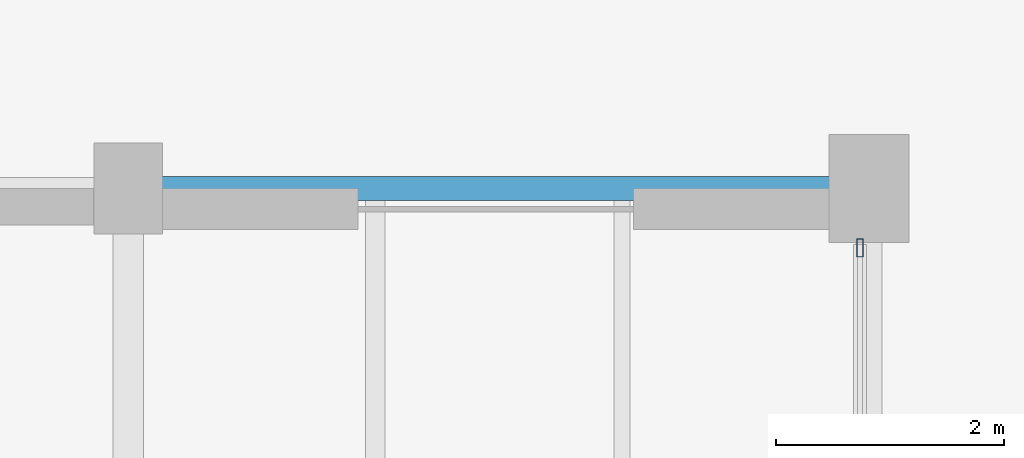
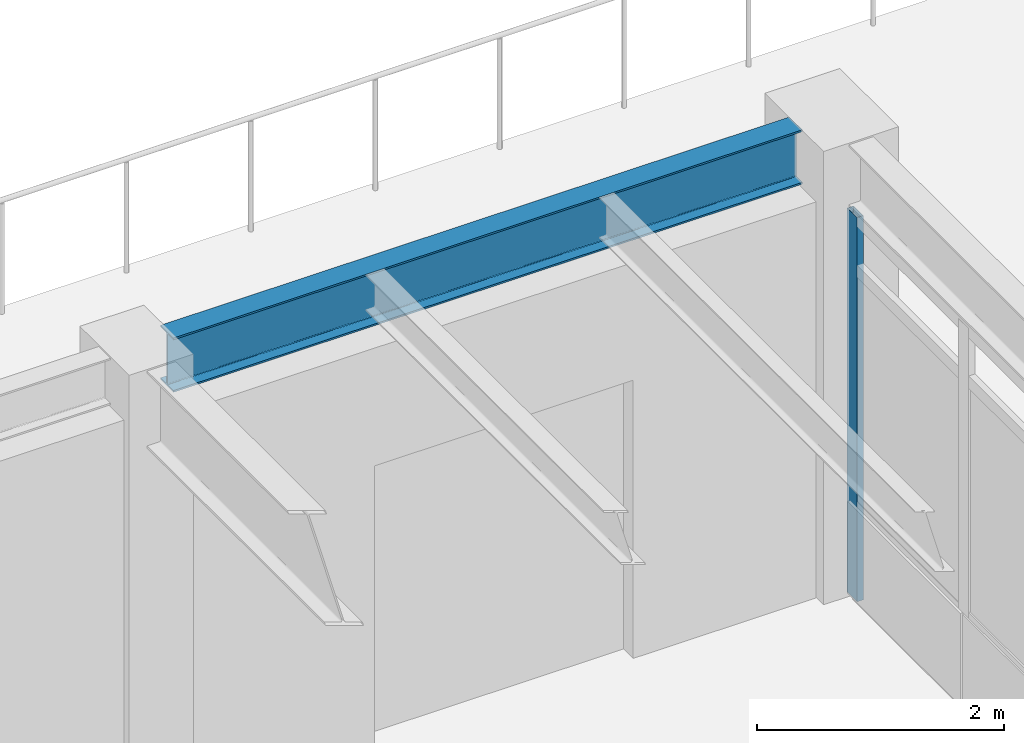
# One storey, part 135 of 200: 1 beam, 1 member, 1 element without a shape of its own.
"""IFC4 building model written with IfcOpenShell, lengths in metres."""

from ifc_helpers import new_model, si_unit, direction, frame, origin, origin_2d, place, context, subcontext, project, spatial, hollow_rectangle, i_section, extrude, material, material_profile, profile_set, type_object, element, aggregate, save


model = new_model("IFC4")

# Units and contexts
model_context = context("Model", 3, precision=1e-05, world=origin(), true_north=direction((0.0, 1.0)))
body_context = subcontext(model_context, "Body", "Model", "MODEL_VIEW")
ifc_project = project(units=[si_unit("LENGTHUNIT", "METRE"), si_unit("AREAUNIT", "SQUARE_METRE"), si_unit("VOLUMEUNIT", "CUBIC_METRE"), si_unit("PLANEANGLEUNIT", "RADIAN"), si_unit("MASSUNIT", "GRAM", prefix="KILO"), si_unit("THERMODYNAMICTEMPERATUREUNIT", "KELVIN"), si_unit("POWERUNIT", "WATT")], contexts=[model_context])

# Site, building, storey
site_placement = place(None, origin())
site = spatial("IfcSite", under=ifc_project, at=site_placement, CompositionType="ELEMENT")
building_placement = place(site_placement, origin())
building = spatial("IfcBuilding", under=site, at=building_placement, Name="Tepalcoro Natatorium and Aquatics Centre", CompositionType="ELEMENT")
storey_placement = place(building_placement, frame((0.0, 0.0, 5.39990234375)))
storey = spatial("IfcBuildingStorey", under=building, at=storey_placement, Name="L01", CompositionType="ELEMENT", Elevation=5.39990234375)

# Curtain wall, member
ifc_material_1 = material(Name="Bronze-Anodised Extruded Aluminium Alloy EN AW-6063 T6", Category="aluminium")
curtain_wall_type = type_object("IfcCurtainWallType", Name="CW_V5_LOWER", PredefinedType="USERDEFINED", material=ifc_material_1)
curtain_wall_placement = place(storey_placement, origin())
curtain_wall = element("IfcCurtainWall", 1, at=curtain_wall_placement, inside=storey, type_object=curtain_wall_type, Name="V1 L01 E Unitised Curtain Wall Bay 8", ObjectType="UNITISED STOREFRONT", PredefinedType="USERDEFINED")
ifc_material_profile_1 = material_profile(ifc_material_1, hollow_rectangle(XDim=0.06005859375, YDim=0.159912109375, WallThickness=0.00390625, at=origin_2d()), Name="AL60X160X4")
ifc_profile_set_1 = profile_set([ifc_material_profile_1], Name="Bronze-Anodised Extruded Aluminium Alloy EN AW-6063 T6")
member_type = type_object("IfcMemberType", Name="CW_MUL_60x160", PredefinedType="MULLION", material=ifc_profile_set_1)
member_placement = place(storey_placement, frame((131.419921875, 64.97998046875, 0.02001953125), z_axis=(0.0, 0.0, 1.0), x_axis=(1.0, 0.0, 0.0)))
member = element("IfcMember", 2, at=member_placement, type_object=member_type, Name="CW_V5_LOWER Curtain Wall Mullion", PredefinedType="MULLION", context=body_context, shape_type="SweptSolid", body=[
    extrude(hollow_rectangle(XDim=0.06005859375, YDim=0.159912109375, WallThickness=0.00390625, at=origin_2d()), origin(), (0.0, 0.0, 1.0), 3.798095703125),
])
aggregate(curtain_wall, [member])

# Beam
ifc_material_2 = material(Name="Steel ASTM A992 Grade 50 (Fy 345 MPa)", Category="steel")
ifc_material_profile_2 = material_profile(ifc_material_2, i_section(OverallWidth=0.2099609375, OverallDepth=0.535888671875, WebThickness=0.010986328125, FlangeThickness=0.01708984375, FilletRadius=0.013916015625, at=origin_2d()), Name="W21X68")
ifc_profile_set_2 = profile_set([ifc_material_profile_2], Name="Steel ASTM A992 Grade 50 (Fy 345 MPa)")
beam_type = type_object("IfcBeamType", Name="SP_W21x68", PredefinedType="SPANDREL", material=ifc_profile_set_2)
beam_placement = place(storey_placement, frame((125.284912109375, 65.5, 4.197021484375), z_axis=(1.0, 0.0, 0.0), x_axis=(0.0, 1.0, 0.0)))
element("IfcBeam", 3, at=beam_placement, inside=storey, type_object=beam_type, Name="V1 L01 Grid Girder X", PredefinedType="SPANDREL", context=body_context, shape_type="SweptSolid", body=[
    extrude(i_section(OverallWidth=0.2099609375, OverallDepth=0.535888671875, WebThickness=0.010986328125, FlangeThickness=0.01708984375, FilletRadius=0.013916015625, at=origin_2d()), origin(), (0.0, 0.0, 1.0), 5.880126953125),
])

save(model, "model.ifc")
